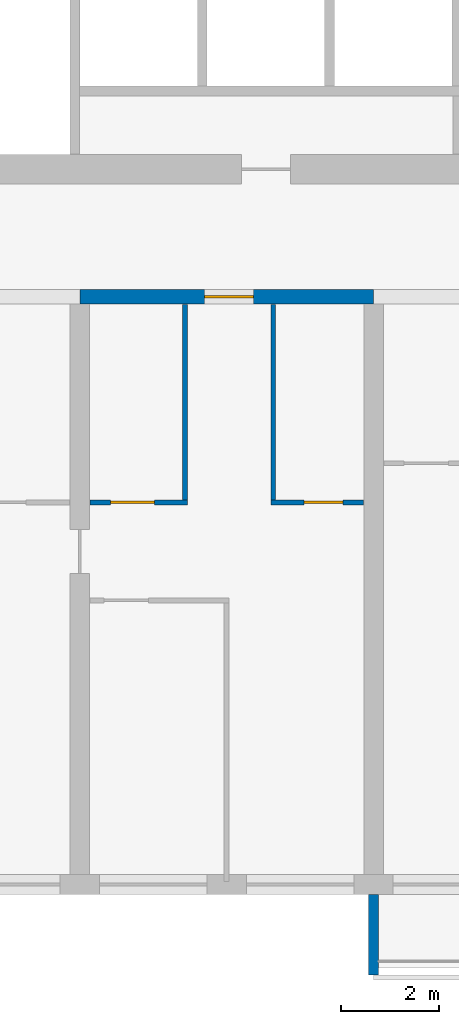
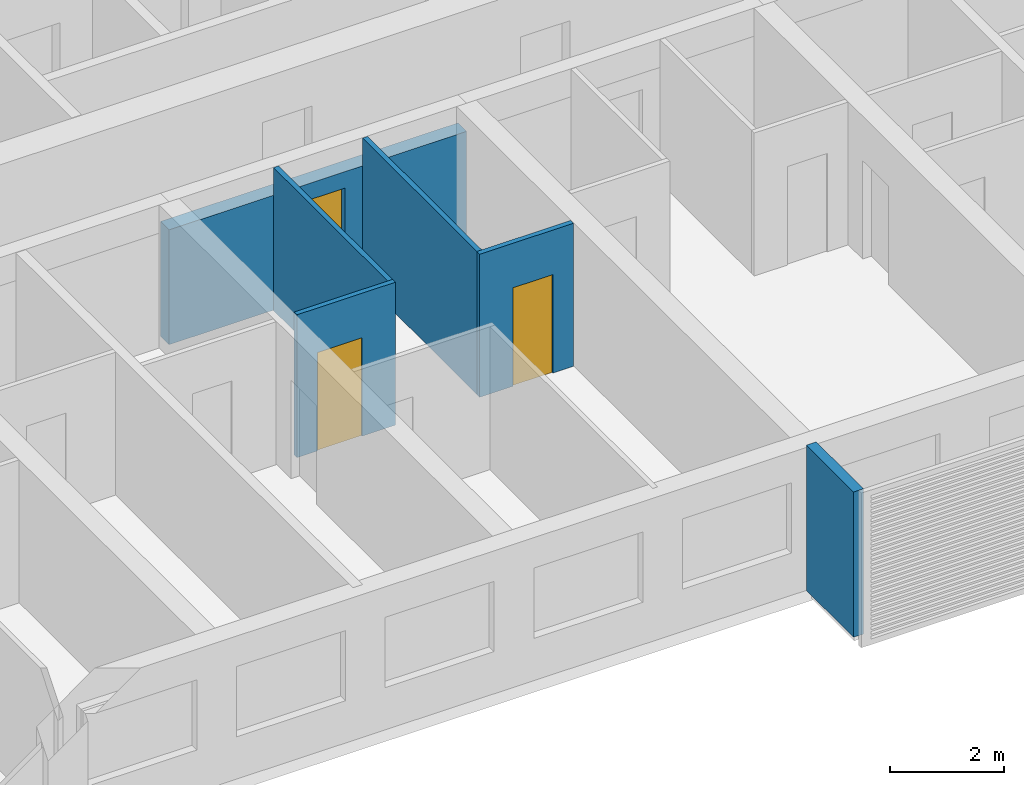
# One storey, part 4 of 40: 6 walls, 3 doors, 3 openings.
"""IFC4 building model written with IfcOpenShell, lengths in metres."""

from ifc_helpers import new_model, si_unit, direction, frame, frame_2d, origin, place, context, subcontext, project, spatial, polyline, rectangle, outline, extrude, source, transform, mapped, material, layer, layer_set, type_object, element, fill, save


model = new_model("IFC4")

# Units and contexts
model_context = context("Model", 3, precision=1e-05, world=origin(), true_north=direction((0.0, 1.0)))
body_context = subcontext(model_context, "Body", "Model", "MODEL_VIEW")
ifc_project = project(units=[si_unit("LENGTHUNIT", "METRE"), si_unit("AREAUNIT", "SQUARE_METRE"), si_unit("VOLUMEUNIT", "CUBIC_METRE"), si_unit("PLANEANGLEUNIT", "RADIAN"), si_unit("MASSUNIT", "GRAM", prefix="KILO")], contexts=[model_context])

# Site, building, storey
site_placement = place(None, origin())
site = spatial("IfcSite", under=ifc_project, at=site_placement, CompositionType="ELEMENT")
building_placement = place(site_placement, origin())
building = spatial("IfcBuilding", under=site, at=building_placement, Name="Poui Terraces", CompositionType="ELEMENT")
storey_placement = place(building_placement, frame((0.0, 0.0, 39.89990234375)))
storey = spatial("IfcBuildingStorey", under=building, at=storey_placement, Name="L10", CompositionType="ELEMENT", Elevation=39.89990234375)

# Wall, opening, door
ifc_material_1 = material(Name="Concrete 80 MPa", Category="concrete")
ifc_layer_1 = layer(ifc_material_1, 0.300048828125)
ifc_layer_set_1 = layer_set([ifc_layer_1], Name="Concrete 80 MPa")
wall_type_1 = type_object("IfcWallType", Name="CORRIDOR WALL 300 80MPa", PredefinedType="SHEAR", material=ifc_layer_set_1)
wall_1_placement = place(storey_placement, frame((42.0, 12.0, 0.0), z_axis=(0.0, 0.0, 1.0), x_axis=(1.0, 0.0, 0.0)))
wall_1 = element("IfcWall", 1, at=wall_1_placement, inside=storey, type_object=wall_type_1, Name="CORRIDOR WALL LINE B BAY 8", PredefinedType="SHEAR", context=body_context, shape_type="SweptSolid", body=[
    extrude(rectangle(XDim=6.0, YDim=0.300048828125, at=frame_2d((3.0, 0.0))), origin(), (0.0, 0.0, 1.0), 2.4501953125),
])
opening_1_placement = place(wall_1_placement, frame((2.550048828125, 0.0, 0.0)))
opening_1 = element("IfcOpeningElement", 2, at=opening_1_placement, cuts=wall_1, Name="Opening FD30S", PredefinedType="OPENING", context=body_context, shape_type="SweptSolid", body=[
    extrude(rectangle(XDim=1.0, YDim=2.10009765625, at=frame_2d((0.5, 1.050048828125))), frame((0.0, 0.16015625, 0.0), z_axis=(0.0, -1.0, 0.0), x_axis=(1.0, 0.0, 0.0)), (0.0, 0.0, 1.0), 0.320068359375),
])
ifc_material_2 = material(Name="Steel fire door", Category="steel")
door_type_1 = type_object("IfcDoorType", Name="FLAT ENTRANCE DOOR 1000 X 2100", OperationType="NOTDEFINED", PredefinedType="DOOR", material=ifc_material_2)
door_1_placement = place(opening_1_placement, frame((1.0, 0.0, 0.0), z_axis=(0.0, 0.0, 1.0), x_axis=(-1.0, 0.0, 0.0)))
door_1 = element("IfcDoor", 3, at=door_1_placement, inside=storey, type_object=door_type_1, Name="FLAT ENTRANCE DOOR 116", OperationType="SINGLE_SWING_LEFT", OverallHeight=2.10009765625, OverallWidth=1.0, PredefinedType="DOOR", context=body_context, shape_type="SweptSolid", body=[
    extrude(rectangle(XDim=1.0, YDim=2.10009765625, at=frame_2d((0.5, 1.050048828125))), frame((0.0, 0.02490234375, 0.0), z_axis=(0.0, -1.0, 0.0), x_axis=(1.0, 0.0, 0.0)), (0.0, 0.0, 1.0), 0.050048828125),
])
fill(opening_1, door_1)

ifc_material_3 = material(Name="Plasterboard partition")
ifc_layer_2 = layer(ifc_material_3, 0.10009765625)
ifc_layer_set_2 = layer_set([ifc_layer_2], Name="Plasterboard partition")
wall_type_2 = type_object("IfcWallType", Name="FLAT PARTITION 100", PredefinedType="PARTITIONING", material=ifc_layer_set_2)
wall_2_placement = place(storey_placement, frame((42.2099609375, 7.800048828125, 0.0), z_axis=(0.0, 0.0, 1.0), x_axis=(1.0, 0.0, 0.0)))
wall_2 = element("IfcWall", 4, at=wall_2_placement, inside=storey, type_object=wall_type_2, Name="FLAT PARTITION 100", PredefinedType="PARTITIONING", context=body_context, shape_type="SweptSolid", body=[
    extrude(rectangle(XDim=1.989990234375, YDim=0.10009765625, at=frame_2d((0.9951171875, 0.0))), origin(), (0.0, 0.0, 1.0), 3.050048828125),
])
opening_2_placement = place(wall_2_placement, frame((0.4150390625, 0.0, 0.0)))
opening_2 = element("IfcOpeningElement", 5, at=opening_2_placement, cuts=wall_2, Name="Opening D90", PredefinedType="OPENING", context=body_context, shape_type="SweptSolid", body=[
    extrude(rectangle(XDim=0.89990234375, YDim=2.10009765625, at=frame_2d((0.449951171875, 1.050048828125))), frame((0.0, 0.06005859375, 0.0), z_axis=(0.0, -1.0, 0.0), x_axis=(1.0, 0.0, 0.0)), (0.0, 0.0, 1.0), 0.1201171875),
])
ifc_material_4 = material(Name="Solid core timber door", Category="wood")
door_type_2 = type_object("IfcDoorType", Name="INTERNAL DOOR 900 X 2100", OperationType="NOTDEFINED", PredefinedType="DOOR", material=ifc_material_4)
door_2_placement = place(opening_2_placement, origin())
door_2 = element("IfcDoor", 6, at=door_2_placement, inside=storey, type_object=door_type_2, Name="INTERNAL DOOR 115", OperationType="SINGLE_SWING_LEFT", OverallHeight=2.10009765625, OverallWidth=0.89990234375, PredefinedType="DOOR", context=body_context, shape_type="SweptSolid", body=[
    extrude(rectangle(XDim=0.89990234375, YDim=2.10009765625, at=frame_2d((0.449951171875, 1.050048828125))), frame((0.0, 0.02490234375, 0.0), z_axis=(0.0, -1.0, 0.0), x_axis=(1.0, 0.0, 0.0)), (0.0, 0.0, 1.0), 0.050048828125),
])
fill(opening_2, door_2)

wall_3_placement = place(storey_placement, frame((45.89990234375, 7.800048828125, 0.0), z_axis=(0.0, 0.0, 1.0), x_axis=(1.0, 0.0, 0.0)))
wall_3 = element("IfcWall", 7, at=wall_3_placement, inside=storey, type_object=wall_type_2, Name="FLAT PARTITION 100", PredefinedType="PARTITIONING", context=body_context, shape_type="SweptSolid", body=[
    extrude(rectangle(XDim=1.89013671875, YDim=0.10009765625, at=frame_2d((0.945068359375, 0.0))), origin(), (0.0, 0.0, 1.0), 3.050048828125),
])
opening_3_placement = place(wall_3_placement, frame((0.675048828125, 0.0, 0.0)))
opening_3 = element("IfcOpeningElement", 8, at=opening_3_placement, cuts=wall_3, Name="Opening D80", PredefinedType="OPENING", context=body_context, shape_type="SweptSolid", body=[
    extrude(rectangle(XDim=0.800048828125, YDim=2.10009765625, at=frame_2d((0.39990234375, 1.050048828125))), frame((0.0, 0.06005859375, 0.0), z_axis=(0.0, -1.0, 0.0), x_axis=(1.0, 0.0, 0.0)), (0.0, 0.0, 1.0), 0.1201171875),
])
door_type_3 = type_object("IfcDoorType", Name="BATHROOM, LAUNDRY AND STORE DOOR 800 X 2100", OperationType="NOTDEFINED", PredefinedType="DOOR", material=ifc_material_4)
door_3_placement = place(opening_3_placement, origin())
door_3 = element("IfcDoor", 9, at=door_3_placement, inside=storey, type_object=door_type_3, Name="BATHROOM, LAUNDRY AND STORE DOOR 117", OperationType="SINGLE_SWING_RIGHT", OverallHeight=2.10009765625, OverallWidth=0.800048828125, PredefinedType="DOOR", context=body_context, shape_type="SweptSolid", body=[
    extrude(rectangle(XDim=0.800048828125, YDim=2.10009765625, at=frame_2d((0.39990234375, 1.050048828125))), frame((0.0, 0.02490234375, 0.0), z_axis=(0.0, -1.0, 0.0), x_axis=(1.0, 0.0, 0.0)), (0.0, 0.0, 1.0), 0.050048828125),
])
fill(opening_3, door_3)

# Walls
for number, where, z_axis, x_axis, name in (
    (10, (44.14990234375, 7.85009765625, 0.0), (0.0, 0.0, 1.0), (0.0, 1.0, 0.0), "FLAT PARTITION 100"),
    (11, (45.949951171875, 7.85009765625, 0.0), (0.0, 0.0, 1.0), (0.0, 1.0, 0.0), "FLAT PARTITION 100"),
):
    element("IfcWall", number, at=place(storey_placement, frame(where, z_axis=z_axis, x_axis=x_axis)), inside=storey, type_object=wall_type_2, Name=name, PredefinedType="PARTITIONING", context=body_context, shape_type="SweptSolid", body=[
        extrude(rectangle(XDim=3.989990234375, YDim=0.10009765625, at=frame_2d((1.9951171875, 0.0))), origin(), (0.0, 0.0, 1.0), 3.050048828125),
    ])
ifc_material_5 = material(Name="Precast concrete 40 MPa", Category="concrete")
ifc_layer_3 = layer(ifc_material_5, 0.199951171875)
ifc_layer_set_3 = layer_set([ifc_layer_3], Name="Precast concrete 40 MPa")
wall_type_3 = type_object("IfcWallType", Name="REAR FIN 200", PredefinedType="STANDARD", material=ifc_layer_set_3)
shared_shape = source(origin(), body_context, "Body", "SweptSolid", [
    extrude(outline(polyline([(0.0, 0.0), (0.2001953125, 0.0), (0.2001953125, 1.650146484375), (0.0, 1.650146484375), (0.0, 0.0)])), origin(), (0.0, 0.0, 1.0), 3.10009765625),
])
wall_4_placement = place(storey_placement, frame((47.89990234375, -1.85009765625, 0.0)))
element("IfcWall", 12, at=wall_4_placement, inside=storey, type_object=wall_type_3, Name="REAR FIN", PredefinedType="STANDARD", context=body_context, shape_type="MappedRepresentation", body=[
    mapped(shared_shape, transform((0.0, 0.0, 0.0))),
])

save(model, "model.ifc")
